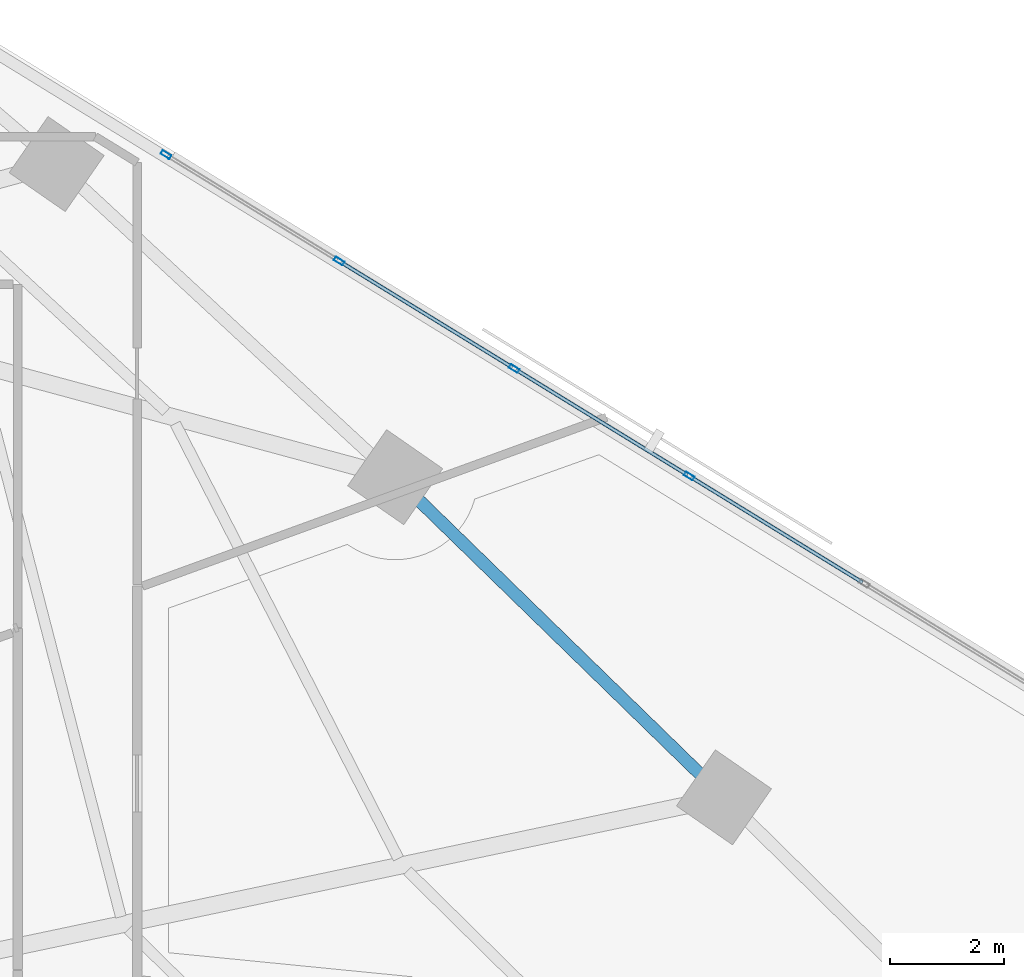
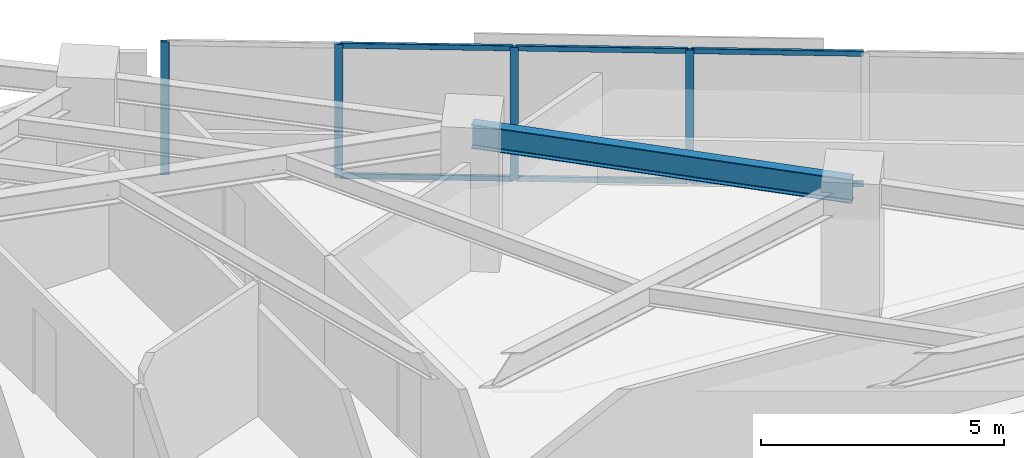
# One storey, part 6 of 18: 10 members, 1 beam, 1 element without a shape of its own.
"""IFC4 building model written with IfcOpenShell, lengths in metres."""

from ifc_helpers import new_model, si_unit, direction, frame, origin, origin_2d, place, context, subcontext, project, spatial, hollow_rectangle, i_section, extrude, material, material_profile, profile_set, type_object, element, aggregate, save


model = new_model("IFC4")

# Units and contexts
model_context = context("Model", 3, precision=1e-05, world=origin(), true_north=direction((0.0, 1.0)))
body_context = subcontext(model_context, "Body", "Model", "MODEL_VIEW")
ifc_project = project(units=[si_unit("LENGTHUNIT", "METRE"), si_unit("AREAUNIT", "SQUARE_METRE"), si_unit("VOLUMEUNIT", "CUBIC_METRE"), si_unit("PLANEANGLEUNIT", "RADIAN"), si_unit("MASSUNIT", "GRAM", prefix="KILO")], contexts=[model_context])

# Site, building, storey
site_placement = place(None, origin())
site = spatial("IfcSite", under=ifc_project, at=site_placement, CompositionType="ELEMENT")
building_placement = place(site_placement, origin())
building = spatial("IfcBuilding", under=site, at=building_placement, Name="Narakoshi Arena Tower", CompositionType="ELEMENT")
storey_placement = place(building_placement, frame((0.0, 0.0, 95.699951171875)))
storey = spatial("IfcBuildingStorey", under=building, at=storey_placement, Name="L25", CompositionType="ELEMENT", Elevation=95.699951171875)

# Beam
ifc_material_1 = material(Name="Structural steel S355J2", Category="steel")
ifc_material_profile_1 = material_profile(ifc_material_1, i_section(OverallWidth=0.219970703125, OverallDepth=0.60009765625, WebThickness=0.011962890625, FlangeThickness=0.01904296875, FilletRadius=0.02392578125, at=origin_2d()), Name="IPE600")
ifc_profile_set_1 = profile_set([ifc_material_profile_1], Name="Structural steel S355J2")
beam_type = type_object("IfcBeamType", Name="BM-EDGE-600", PredefinedType="BEAM", material=ifc_profile_set_1)
beam_placement = place(storey_placement, frame((104.42041015625, 47.33056640625, 3.0400390625), z_axis=(-0.71641187053, 0.697677598726, 0.0), x_axis=(-0.697677598726, -0.71641187053, 0.0)))
element("IfcBeam", 1, at=beam_placement, inside=storey, type_object=beam_type, Name="L25 Perimeter Edge Girder 05", PredefinedType="BEAM", context=body_context, shape_type="SweptSolid", body=[
    extrude(i_section(OverallWidth=0.219970703125, OverallDepth=0.60009765625, WebThickness=0.011962890625, FlangeThickness=0.01904296875, FilletRadius=0.02392578125, at=origin_2d()), origin(), (0.0, 0.0, 1.0), 8.066650390625),
])

# Curtain wall, members
ifc_material_2 = material(Name="Anodised bronze aluminium 6063-T6", Category="aluminium")
curtain_wall_type = type_object("IfcCurtainWallType", Name="CW-HYP-LOW", PredefinedType="NOTDEFINED", material=ifc_material_2)
curtain_wall_placement = place(storey_placement, origin())
curtain_wall = element("IfcCurtainWall", 2, at=curtain_wall_placement, inside=storey, type_object=curtain_wall_type, Name="L25 Folded Hypotenuse Curtain Wall 1-1", PredefinedType="NOTDEFINED")
ifc_material_profile_2 = material_profile(ifc_material_2, hollow_rectangle(XDim=0.074951171875, YDim=0.179931640625, WallThickness=0.00390625, OuterFilletRadius=0.0048828125, at=origin_2d()), Name="MUL180x75x4")
ifc_profile_set_2 = profile_set([ifc_material_profile_2], Name="Anodised bronze aluminium 6063-T6")
member_type_1 = type_object("IfcMemberType", Name="MEM-MUL-180", PredefinedType="MULLION", material=ifc_profile_set_2)
member_1_placement = place(storey_placement, frame((103.81005859375, 52.97802734375, 0.0), z_axis=(0.0, 0.0, 1.0), x_axis=(-0.523357676535, -0.852113104237, 0.0)))
member_1 = element("IfcMember", 3, at=member_1_placement, type_object=member_type_1, Name="CW-01 mullion 6", PredefinedType="MULLION", context=body_context, shape_type="SweptSolid", body=[
    extrude(hollow_rectangle(XDim=0.074951171875, YDim=0.179931640625, WallThickness=0.00390625, OuterFilletRadius=0.0048828125, at=origin_2d()), origin(), (0.0, 0.0, 1.0), 3.340087890625),
])
member_2_placement = place(storey_placement, frame((100.733154296875, 54.86767578125, 0.0), z_axis=(0.0, 0.0, 1.0), x_axis=(-0.523357676535, -0.852113104237, 0.0)))
member_2 = element("IfcMember", 4, at=member_2_placement, type_object=member_type_1, Name="CW-01 mullion 7", PredefinedType="MULLION", context=body_context, shape_type="SweptSolid", body=[
    extrude(hollow_rectangle(XDim=0.074951171875, YDim=0.179931640625, WallThickness=0.00390625, OuterFilletRadius=0.0048828125, at=origin_2d()), origin(), (0.0, 0.0, 1.0), 3.340087890625),
])
member_3_placement = place(storey_placement, frame((97.65625, 56.757568359375, 0.0), z_axis=(0.0, 0.0, 1.0), x_axis=(-0.523357676535, -0.852113104237, 0.0)))
member_3 = element("IfcMember", 5, at=member_3_placement, type_object=member_type_1, Name="CW-01 mullion 8", PredefinedType="MULLION", context=body_context, shape_type="SweptSolid", body=[
    extrude(hollow_rectangle(XDim=0.074951171875, YDim=0.179931640625, WallThickness=0.00390625, OuterFilletRadius=0.0048828125, at=origin_2d()), origin(), (0.0, 0.0, 1.0), 3.340087890625),
])
member_4_placement = place(storey_placement, frame((94.611328125, 58.627685546875, 0.0), z_axis=(0.0, 0.0, 1.0), x_axis=(-0.523357676535, -0.852113104237, 0.0)))
member_4 = element("IfcMember", 6, at=member_4_placement, type_object=member_type_1, Name="CW-01 mullion 9", PredefinedType="MULLION", context=body_context, shape_type="SweptSolid", body=[
    extrude(hollow_rectangle(XDim=0.074951171875, YDim=0.179931640625, WallThickness=0.00390625, OuterFilletRadius=0.0048828125, at=origin_2d()), origin(), (0.0, 0.0, 1.0), 3.340087890625),
])
ifc_material_profile_3 = material_profile(ifc_material_2, hollow_rectangle(XDim=0.06494140625, YDim=0.1298828125, WallThickness=0.00390625, OuterFilletRadius=0.0048828125, at=origin_2d()), Name="TRN130x65x4")
ifc_profile_set_3 = profile_set([ifc_material_profile_3], Name="Anodised bronze aluminium 6063-T6")
member_type_2 = type_object("IfcMemberType", Name="MEM-TRN-130", PredefinedType="USERDEFINED", material=ifc_profile_set_3)
member_5_placement = place(storey_placement, frame((106.85498046875, 51.107666015625, 0.032470703125), z_axis=(-0.852103699909, 0.523372988032, 0.0), x_axis=(-0.523372988032, -0.852103699909, 0.0)))
member_5 = element("IfcMember", 7, at=member_5_placement, type_object=member_type_2, Name="CW-01 transom 5.1", ObjectType="TRANSOM", PredefinedType="USERDEFINED", context=body_context, shape_type="SweptSolid", body=[
    extrude(hollow_rectangle(XDim=0.06494140625, YDim=0.1298828125, WallThickness=0.00390625, OuterFilletRadius=0.0048828125, at=origin_2d()), origin(), (0.0, 0.0, 1.0), 3.535888671875),
])
member_6_placement = place(storey_placement, frame((106.85498046875, 51.107666015625, 3.3076171875), z_axis=(-0.852103699909, 0.523372988032, 0.0), x_axis=(-0.523372988032, -0.852103699909, 0.0)))
member_6 = element("IfcMember", 8, at=member_6_placement, type_object=member_type_2, Name="CW-01 transom 5.2", ObjectType="TRANSOM", PredefinedType="USERDEFINED", context=body_context, shape_type="SweptSolid", body=[
    extrude(hollow_rectangle(XDim=0.06494140625, YDim=0.1298828125, WallThickness=0.00390625, OuterFilletRadius=0.0048828125, at=origin_2d()), origin(), (0.0, 0.0, 1.0), 3.535888671875),
])
member_7_placement = place(storey_placement, frame((103.778076171875, 52.99755859375, 0.032470703125), z_axis=(-0.852103699909, 0.523372988032, 0.0), x_axis=(-0.523372988032, -0.852103699909, 0.0)))
member_7 = element("IfcMember", 9, at=member_7_placement, type_object=member_type_2, Name="CW-01 transom 6.1", ObjectType="TRANSOM", PredefinedType="USERDEFINED", context=body_context, shape_type="SweptSolid", body=[
    extrude(hollow_rectangle(XDim=0.06494140625, YDim=0.1298828125, WallThickness=0.00390625, OuterFilletRadius=0.0048828125, at=origin_2d()), origin(), (0.0, 0.0, 1.0), 3.535888671875),
])
member_8_placement = place(storey_placement, frame((103.778076171875, 52.99755859375, 3.3076171875), z_axis=(-0.852103699909, 0.523372988032, 0.0), x_axis=(-0.523372988032, -0.852103699909, 0.0)))
member_8 = element("IfcMember", 10, at=member_8_placement, type_object=member_type_2, Name="CW-01 transom 6.2", ObjectType="TRANSOM", PredefinedType="USERDEFINED", context=body_context, shape_type="SweptSolid", body=[
    extrude(hollow_rectangle(XDim=0.06494140625, YDim=0.1298828125, WallThickness=0.00390625, OuterFilletRadius=0.0048828125, at=origin_2d()), origin(), (0.0, 0.0, 1.0), 3.535888671875),
])
member_9_placement = place(storey_placement, frame((100.701171875, 54.887451171875, 0.032470703125), z_axis=(-0.852134492111, 0.523322851933, 0.0), x_axis=(-0.523322851933, -0.852134492111, 0.0)))
member_9 = element("IfcMember", 11, at=member_9_placement, type_object=member_type_2, Name="CW-01 transom 7.1", ObjectType="TRANSOM", PredefinedType="USERDEFINED", context=body_context, shape_type="SweptSolid", body=[
    extrude(hollow_rectangle(XDim=0.06494140625, YDim=0.1298828125, WallThickness=0.00390625, OuterFilletRadius=0.0048828125, at=origin_2d()), origin(), (0.0, 0.0, 1.0), 3.53564453125),
])
member_10_placement = place(storey_placement, frame((100.701171875, 54.887451171875, 3.3076171875), z_axis=(-0.852134492111, 0.523322851933, 0.0), x_axis=(-0.523322851933, -0.852134492111, 0.0)))
member_10 = element("IfcMember", 12, at=member_10_placement, type_object=member_type_2, Name="CW-01 transom 7.2", ObjectType="TRANSOM", PredefinedType="USERDEFINED", context=body_context, shape_type="SweptSolid", body=[
    extrude(hollow_rectangle(XDim=0.06494140625, YDim=0.1298828125, WallThickness=0.00390625, OuterFilletRadius=0.0048828125, at=origin_2d()), origin(), (0.0, 0.0, 1.0), 3.53564453125),
])
aggregate(curtain_wall, [member_1, member_2, member_3, member_4, member_5, member_6, member_7, member_8, member_9, member_10])

save(model, "model.ifc")
